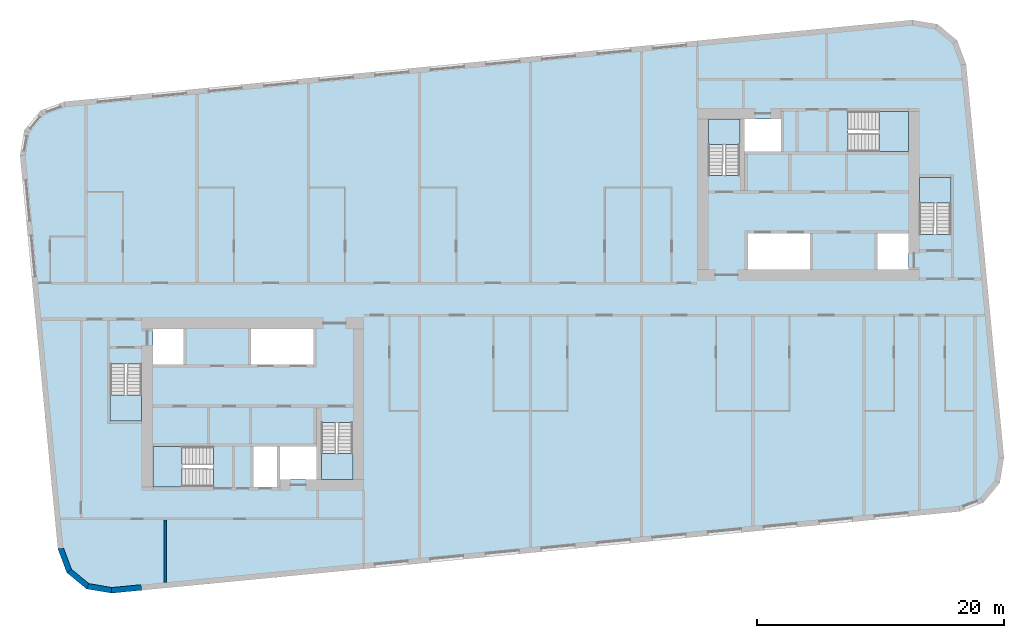
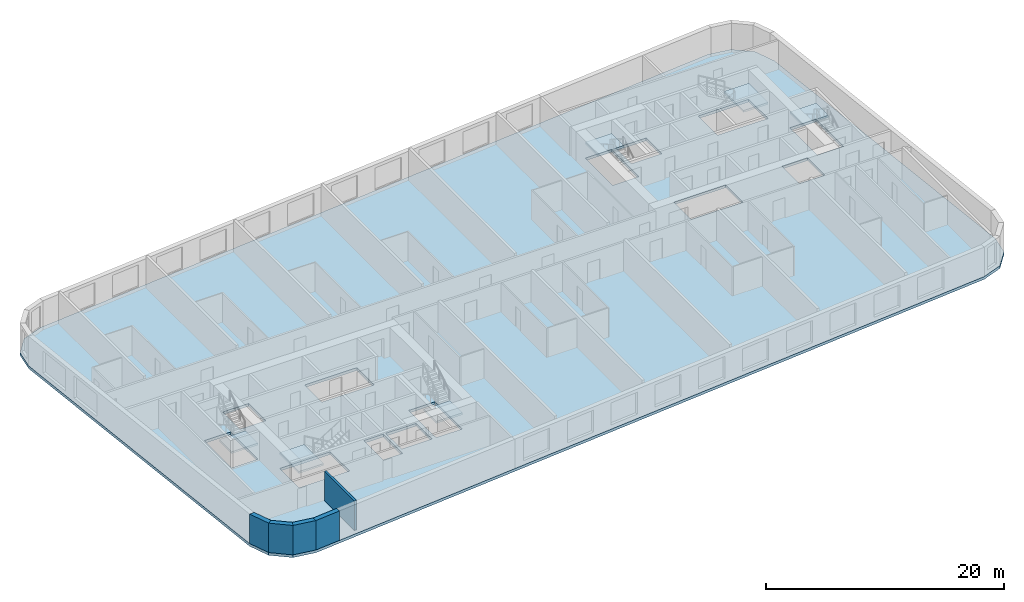
# One storey, part 1 of 11: 7 slabs, 5 walls, 6 elements without a shape of their own.
"""IFC4 building model written with IfcOpenShell, lengths in metres."""

from ifc_helpers import new_model, si_unit, direction, frame, frame_2d, origin, place, context, subcontext, project, spatial, polyline, rectangle, outline, extrude, material, layer, layer_set, type_object, element, aggregate, save


model = new_model("IFC4")

# Units and contexts
model_context = context("Model", 3, precision=1e-05, world=origin(), true_north=direction((0.0, 1.0)))
body_context = subcontext(model_context, "Body", "Model", "MODEL_VIEW")
ifc_project = project(units=[si_unit("LENGTHUNIT", "METRE"), si_unit("AREAUNIT", "SQUARE_METRE"), si_unit("VOLUMEUNIT", "CUBIC_METRE"), si_unit("PLANEANGLEUNIT", "RADIAN"), si_unit("MASSUNIT", "GRAM", prefix="KILO")], contexts=[model_context])

# Site, building, storey
site_placement = place(None, origin())
site = spatial("IfcSite", under=ifc_project, at=site_placement, CompositionType="ELEMENT")
building_placement = place(site_placement, origin())
building = spatial("IfcBuilding", under=site, at=building_placement, Name="Kajstack Hotel Tower", CompositionType="ELEMENT")
storey_placement = place(building_placement, frame((0.0, 0.0, 271.800048828125)))
storey = spatial("IfcBuildingStorey", under=building, at=storey_placement, Name="L67", CompositionType="ELEMENT", Elevation=271.800048828125)

# Slab
ifc_material_1 = material(Name="Concrete C40/50", Category="concrete")
ifc_layer_1 = layer(ifc_material_1, 0.280029296875)
ifc_layer_set_1 = layer_set([ifc_layer_1], Name="RC slab 280 C40/50 guest")
slab_type_1 = type_object("IfcSlabType", Name="RC slab 280 C40/50 guest", PredefinedType="FLOOR", material=ifc_layer_set_1)
slab_1_placement = place(storey_placement, frame((0.0, 0.0, -0.280029296875)))
element("IfcSlab", 1, at=slab_1_placement, inside=storey, type_object=slab_type_1, Name="S-slab-L67", PredefinedType="FLOOR", context=body_context, shape_type="SweptSolid", body=[
    extrude(outline(polyline([(-41.356201171875, 11.63623046875), (-38.289306640625, -20.21630859375), (-37.564208984375, -22.15576171875), (-35.96630859375, -23.472900390625), (-33.92431640625, -23.814697265625), (34.758056640625, -17.201171875), (36.697509765625, -16.47607421875), (38.014404296875, -14.87841796875), (38.356201171875, -12.836181640625), (35.289306640625, 19.016357421875), (34.564208984375, 20.955810546875), (32.96630859375, 22.27294921875), (30.92431640625, 22.614501953125), (-37.758056640625, 16.001220703125), (-39.697509765625, 15.276123046875), (-41.014404296875, 13.678466796875), (-41.356201171875, 11.63623046875)]), holes=[polyline([(-22.64990234375, -5.300048828125), (-22.64990234375, -2.39990234375), (-17.60009765625, -2.39990234375), (-17.60009765625, -5.300048828125), (-22.64990234375, -5.300048828125)]), polyline([(-20.300048828125, -14.60009765625), (-17.35009765625, -14.60009765625), (-17.35009765625, -11.949951171875), (-20.300048828125, -11.949951171875), (-20.300048828125, -14.60009765625)]), polyline([(-30.60009765625, -5.300048828125), (-28.10009765625, -5.300048828125), (-28.10009765625, -2.39990234375), (-30.60009765625, -2.39990234375), (-30.60009765625, -5.300048828125)]), polyline([(17.60009765625, 2.39990234375), (17.60009765625, 5.300048828125), (22.64990234375, 5.300048828125), (22.64990234375, 2.39990234375), (17.60009765625, 2.39990234375)]), polyline([(20.300048828125, 14.60009765625), (17.35009765625, 14.60009765625), (17.35009765625, 11.949951171875), (20.300048828125, 11.949951171875), (20.300048828125, 14.60009765625)]), polyline([(30.60009765625, 5.300048828125), (28.10009765625, 5.300048828125), (28.10009765625, 2.39990234375), (30.60009765625, 2.39990234375), (30.60009765625, 5.300048828125)]), polyline([(-34.050048828125, -9.85009765625), (-31.5, -9.85009765625), (-31.5, -5.25), (-34.050048828125, -5.25), (-34.050048828125, -9.85009765625)]), polyline([(-16.949951171875, -14.60009765625), (-14.39990234375, -14.60009765625), (-14.39990234375, -10.0), (-16.949951171875, -10.0), (-16.949951171875, -14.60009765625)]), polyline([(-30.60009765625, -15.199951171875), (-25.699951171875, -15.199951171875), (-25.699951171875, -11.949951171875), (-30.60009765625, -11.949951171875), (-30.60009765625, -15.199951171875)]), polyline([(34.050048828125, 9.85009765625), (31.5, 9.85009765625), (31.5, 5.25), (34.050048828125, 5.25), (34.050048828125, 9.85009765625)]), polyline([(16.949951171875, 14.60009765625), (14.39990234375, 14.60009765625), (14.39990234375, 10.0), (16.949951171875, 10.0), (16.949951171875, 14.60009765625)]), polyline([(30.60009765625, 15.199951171875), (25.699951171875, 15.199951171875), (25.699951171875, 11.949951171875), (30.60009765625, 11.949951171875), (30.60009765625, 15.199951171875)]), polyline([(-22.425048828125, -15.199951171875), (-22.425048828125, -11.949951171875), (-20.550048828125, -11.949951171875), (-20.550048828125, -15.199951171875), (-22.425048828125, -15.199951171875)])]), origin(), (0.0, 0.0, 1.0), 0.280029296875),
])

# Stair, slab
stair_type_1 = type_object("IfcStairType", Name="Exit stair 1200", PredefinedType="HALF_TURN_STAIR", material=ifc_material_1)
stair_1_placement = place(storey_placement, origin())
stair_1 = element("IfcStair", 2, at=stair_1_placement, inside=storey, type_object=stair_type_1, Name="L67 stair W1", PredefinedType="HALF_TURN_STAIR")
ifc_layer_2 = layer(ifc_material_1, 0.199951171875)
ifc_layer_set_2 = layer_set([ifc_layer_2], Name="Stair landing 200")
slab_type_2 = type_object("IfcSlabType", Name="Stair landing 200", PredefinedType="LANDING", material=ifc_layer_set_2)
slab_2_placement = place(storey_placement, frame((0.0, 0.0, 1.449951171875)))
slab_2 = element("IfcSlab", 3, at=slab_2_placement, type_object=slab_type_2, Name="W1 landing 1", PredefinedType="LANDING", context=body_context, shape_type="SweptSolid", body=[
    extrude(outline(polyline([(-34.050048828125, -7.77001953125), (-34.050048828125, -9.85009765625), (-31.5, -9.85009765625), (-31.5, -7.77001953125), (-34.050048828125, -7.77001953125)])), origin(), (0.0, 0.0, 1.0), 0.199951171875),
])
aggregate(stair_1, [slab_2])

stair_2_placement = place(storey_placement, origin())
stair_2 = element("IfcStair", 4, at=stair_2_placement, inside=storey, type_object=stair_type_1, Name="L67 stair W2", PredefinedType="HALF_TURN_STAIR")
slab_3_placement = place(storey_placement, frame((0.0, 0.0, 1.449951171875)))
slab_3 = element("IfcSlab", 5, at=slab_3_placement, type_object=slab_type_2, Name="W2 landing 1", PredefinedType="LANDING", context=body_context, shape_type="SweptSolid", body=[
    extrude(outline(polyline([(-16.949951171875, -12.52001953125), (-16.949951171875, -14.60009765625), (-14.39990234375, -14.60009765625), (-14.39990234375, -12.52001953125), (-16.949951171875, -12.52001953125)])), origin(), (0.0, 0.0, 1.0), 0.199951171875),
])
aggregate(stair_2, [slab_3])

stair_type_2 = type_object("IfcStairType", Name="Exit stair 1500", PredefinedType="HALF_TURN_STAIR", material=ifc_material_1)
stair_3_placement = place(storey_placement, origin())
stair_3 = element("IfcStair", 6, at=stair_3_placement, inside=storey, type_object=stair_type_2, Name="L67 stair W3", PredefinedType="HALF_TURN_STAIR")
slab_4_placement = place(storey_placement, frame((0.0, 0.0, 1.449951171875)))
slab_4 = element("IfcSlab", 7, at=slab_4_placement, type_object=slab_type_2, Name="W3 landing 1", PredefinedType="LANDING", context=body_context, shape_type="SweptSolid", body=[
    extrude(outline(polyline([(-28.219970703125, -11.949951171875), (-30.60009765625, -11.949951171875), (-30.60009765625, -15.199951171875), (-28.219970703125, -15.199951171875), (-28.219970703125, -11.949951171875)])), origin(), (0.0, 0.0, 1.0), 0.199951171875),
])
aggregate(stair_3, [slab_4])

stair_4_placement = place(storey_placement, origin())
stair_4 = element("IfcStair", 8, at=stair_4_placement, inside=storey, type_object=stair_type_1, Name="L67 stair E1", PredefinedType="HALF_TURN_STAIR")
slab_5_placement = place(storey_placement, frame((0.0, 0.0, 1.449951171875)))
slab_5 = element("IfcSlab", 9, at=slab_5_placement, type_object=slab_type_2, Name="E1 landing 1", PredefinedType="LANDING", context=body_context, shape_type="SweptSolid", body=[
    extrude(outline(polyline([(34.050048828125, 7.77001953125), (34.050048828125, 9.85009765625), (31.5, 9.85009765625), (31.5, 7.77001953125), (34.050048828125, 7.77001953125)])), origin(), (0.0, 0.0, 1.0), 0.199951171875),
])
aggregate(stair_4, [slab_5])

stair_5_placement = place(storey_placement, origin())
stair_5 = element("IfcStair", 10, at=stair_5_placement, inside=storey, type_object=stair_type_1, Name="L67 stair E2", PredefinedType="HALF_TURN_STAIR")
slab_6_placement = place(storey_placement, frame((0.0, 0.0, 1.449951171875)))
slab_6 = element("IfcSlab", 11, at=slab_6_placement, type_object=slab_type_2, Name="E2 landing 1", PredefinedType="LANDING", context=body_context, shape_type="SweptSolid", body=[
    extrude(outline(polyline([(16.949951171875, 12.52001953125), (16.949951171875, 14.60009765625), (14.39990234375, 14.60009765625), (14.39990234375, 12.52001953125), (16.949951171875, 12.52001953125)])), origin(), (0.0, 0.0, 1.0), 0.199951171875),
])
aggregate(stair_5, [slab_6])

stair_6_placement = place(storey_placement, origin())
stair_6 = element("IfcStair", 12, at=stair_6_placement, inside=storey, type_object=stair_type_2, Name="L67 stair E3", PredefinedType="HALF_TURN_STAIR")
slab_7_placement = place(storey_placement, frame((0.0, 0.0, 1.449951171875)))
slab_7 = element("IfcSlab", 13, at=slab_7_placement, type_object=slab_type_2, Name="E3 landing 1", PredefinedType="LANDING", context=body_context, shape_type="SweptSolid", body=[
    extrude(outline(polyline([(28.219970703125, 11.949951171875), (30.60009765625, 11.949951171875), (30.60009765625, 15.199951171875), (28.219970703125, 15.199951171875), (28.219970703125, 11.949951171875)])), origin(), (0.0, 0.0, 1.0), 0.199951171875),
])
aggregate(stair_6, [slab_7])

# Walls
ifc_material_2 = material(Name="Terracotta-faced brick masonry", Category="masonry")
ifc_layer_3 = layer(ifc_material_2, 0.449951171875)
ifc_layer_set_3 = layer_set([ifc_layer_3], Name="EW-TERRA")
wall_type_1 = type_object("IfcWallType", Name="EW-TERRA", PredefinedType="SOLIDWALL", material=ifc_layer_set_3)
wall_1_placement = place(storey_placement, frame((-38.078369140625, -20.1376953125, 0.0), z_axis=(0.0, 0.0, 1.0), x_axis=(0.350231589928, -0.936663137642, 0.0)))
element("IfcWall", 14, at=wall_1_placement, inside=storey, type_object=wall_type_1, Name="E-wall-L67-01-00", PredefinedType="SOLIDWALL", context=body_context, shape_type="SweptSolid", body=[
    extrude(outline(polyline([(0.0, -0.22509765625), (2.0703125, -0.22509765625), (1.949951171875, 0.224853515625), (0.120361328125, 0.224853515625), (0.0, -0.22509765625)])), origin(), (0.0, 0.0, 1.0), 3.02001953125),
])
wall_2_placement = place(storey_placement, frame((-37.4208984375, -21.982177734375, 0.0), z_axis=(0.0, 0.0, 1.0), x_axis=(0.771593176315, -0.636116318187, 0.0)))
element("IfcWall", 15, at=wall_2_placement, inside=storey, type_object=wall_type_1, Name="E-wall-L67-02-00", PredefinedType="SOLIDWALL", context=body_context, shape_type="SweptSolid", body=[
    extrude(outline(polyline([(0.0, -0.22509765625), (2.070556640625, -0.22509765625), (1.949951171875, 0.22509765625), (0.12060546875, 0.224853515625), (0.0, -0.22509765625)])), origin(), (0.0, 0.0, 1.0), 3.02001953125),
])
wall_3_placement = place(storey_placement, frame((-35.92919921875, -23.2509765625, 0.0), z_axis=(0.0, 0.0, 1.0), x_axis=(0.986278951104, -0.165087342366, 0.0)))
element("IfcWall", 16, at=wall_3_placement, inside=storey, type_object=wall_type_1, Name="E-wall-L67-03-00", PredefinedType="SOLIDWALL", context=body_context, shape_type="SweptSolid", body=[
    extrude(outline(polyline([(0.0, -0.22509765625), (2.070556640625, -0.224853515625), (1.949951171875, 0.22509765625), (0.12060546875, 0.22509765625), (0.0, -0.22509765625)])), origin(), (0.0, 0.0, 1.0), 3.02001953125),
])
wall_4_placement = place(storey_placement, frame((-33.94580078125, -23.590576171875, 0.0), z_axis=(0.0, 0.0, 1.0), x_axis=(0.995397635156, 0.095830829729, 0.0)))
element("IfcWall", 17, at=wall_4_placement, inside=storey, type_object=wall_type_1, Name="E-wall-L67-04-00", PredefinedType="SOLIDWALL", context=body_context, shape_type="SweptSolid", body=[
    extrude(rectangle(XDim=2.435546875, YDim=0.449951171875, at=frame_2d((1.2177734375, 0.0))), origin(), (0.0, 0.0, 1.0), 3.02001953125),
])
ifc_material_3 = material(Name="Gypsum board on steel studs, mineral wool", Category="steel")
ifc_layer_4 = layer(ifc_material_3, 0.199951171875)
ifc_layer_set_4 = layer_set([ifc_layer_4], Name="Service partition 200")
wall_type_2 = type_object("IfcWallType", Name="Service partition 200", PredefinedType="PARTITIONING", material=ifc_layer_set_4)
wall_5_placement = place(storey_placement, frame((-29.60009765625, -22.947021484375, 0.0), z_axis=(0.0, 0.0, 1.0), x_axis=(0.0, 1.0, 0.0)))
element("IfcWall", 18, at=wall_5_placement, inside=storey, type_object=wall_type_2, Name="Partition W SLP0", PredefinedType="PARTITIONING", context=body_context, shape_type="SweptSolid", body=[
    extrude(rectangle(XDim=5.047119140625, YDim=0.199951171875, at=frame_2d((2.5234375, 0.0))), origin(), (0.0, 0.0, 1.0), 3.02001953125),
])

save(model, "model.ifc")
